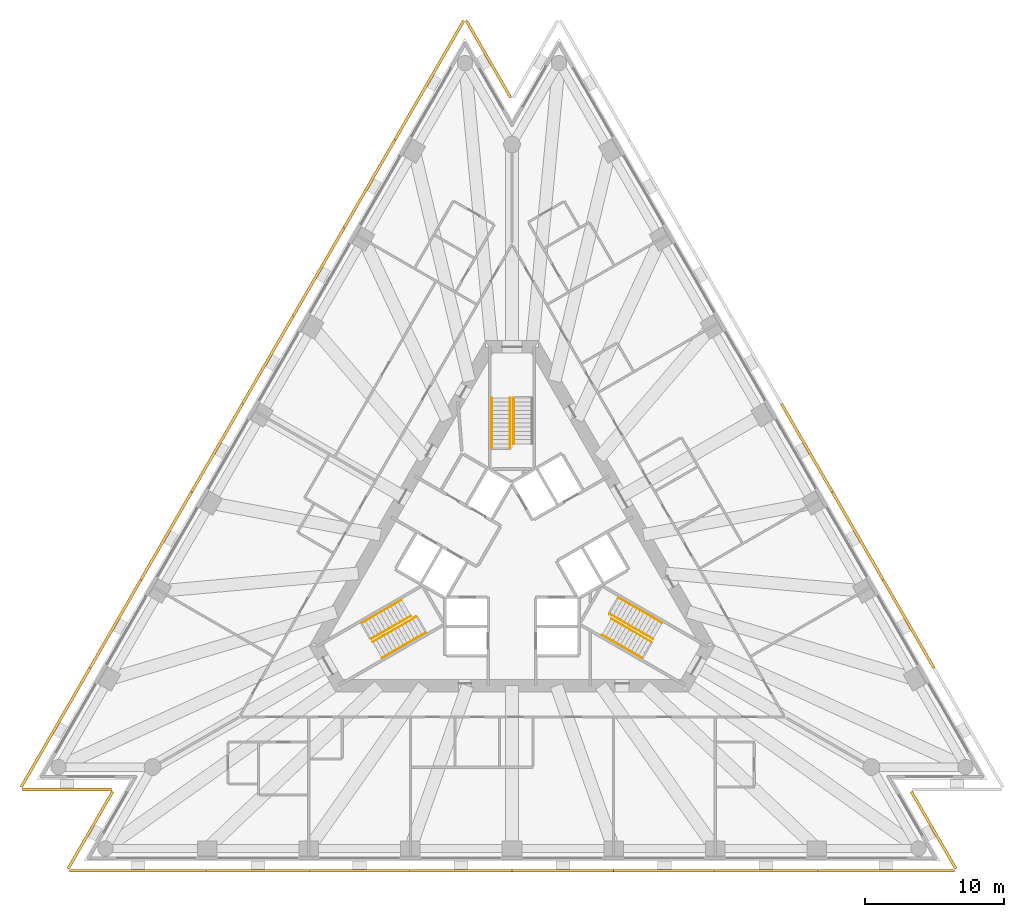
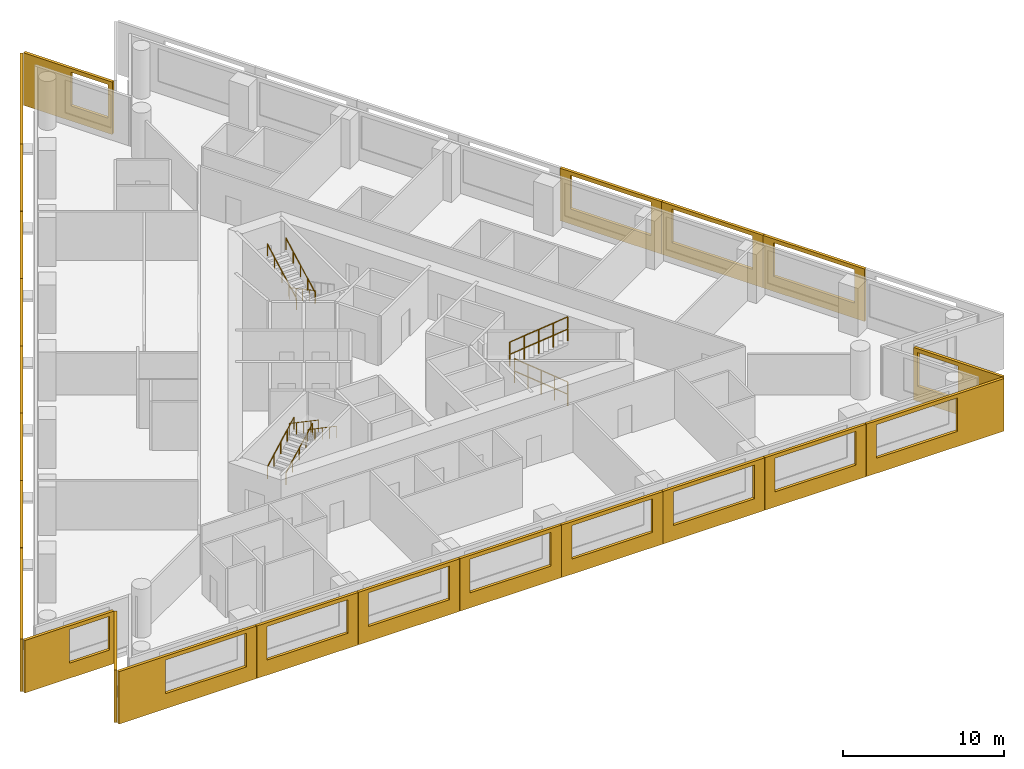
# One storey, part 10 of 11: 23 shading devices, 11 railings, 3 elements without a shape of their own.
"""IFC4 building model written with IfcOpenShell, lengths in metres."""

import ifcopenshell
import ifcopenshell.guid

model = None  # the IFC model being written
_history = None  # IfcOwnerHistory: only IFC2X3 demands one
_inside = {}  # id of a spatial element -> (the spatial element, [elements in it])
_under = {}  # id of a project, library or spatial element -> (it, [spatial elements below it])
_declared = {}  # id of a project -> (the project, [libraries it declares])
_typed = {}  # id of a type object -> (the type object, [elements of that type])
_made_of = {}  # id of a material, layer set ... -> (it, [elements and type objects made of it])


def new_model(schema):
    """Start an empty IFC model of exactly this schema.

    Asked for "IFC4X3", IfcOpenShell would pick the latest addendum, in which some entities
    have other attributes; the version numbers below select the first issue.
    IFC2X3 requires an IfcOwnerHistory on every rooted entity: one is made here for all.
    """
    global model, _history
    if schema == "IFC4X3":
        model = ifcopenshell.file(schema_version=(4, 3, 0, 0))
    else:
        model = ifcopenshell.file(schema=schema)
    _inside.clear()
    _under.clear()
    _declared.clear()
    _typed.clear()
    _made_of.clear()
    _history = None
    if model.schema == "IFC2X3":
        org = make("IfcOrganization", Name="unknown")
        user = make(
            "IfcPersonAndOrganization",
            ThePerson=make("IfcPerson", FamilyName="unknown"),
            TheOrganization=org,
        )
        app = make(
            "IfcApplication",
            ApplicationDeveloper=org,
            Version="unknown",
            ApplicationFullName="unknown",
            ApplicationIdentifier="unknown",
        )
        _history = make(
            "IfcOwnerHistory",
            OwningUser=user,
            OwningApplication=app,
            ChangeAction="ADDED",
            CreationDate=0,
        )
    return model


def make(cls, **values):
    """One entity of the class cls with the attributes given. An attribute that is None is left unset."""
    return model.create_entity(
        cls, **{name: value for name, value in values.items() if value is not None}
    )


def rooted(cls, **values):
    """An entity with a GlobalId (a new one), such as an element, a storey or a relation."""
    return make(cls, GlobalId=ifcopenshell.guid.new(), OwnerHistory=_history, **values)


def si_unit(unit_type, name, prefix=None):
    """IfcSIUnit, for example si_unit("LENGTHUNIT", "METRE", prefix="MILLI")."""
    return make("IfcSIUnit", UnitType=unit_type, Prefix=prefix, Name=name)


def assignment(units):
    """IfcUnitAssignment: the units of a project."""
    return None if units is None else make("IfcUnitAssignment", Units=units)


def point(xyz):
    """IfcCartesianPoint."""
    return None if xyz is None else make("IfcCartesianPoint", Coordinates=xyz)


def direction(xyz):
    """IfcDirection."""
    return None if xyz is None else make("IfcDirection", DirectionRatios=xyz)


def frame(location, z_axis=None, x_axis=None):
    """IfcAxis2Placement3D, a coordinate frame: its origin and axes. An axis left out is left unset."""
    return make(
        "IfcAxis2Placement3D",
        Location=point(location),
        Axis=direction(z_axis),
        RefDirection=direction(x_axis),
    )


def frame_2d(location, x_axis=None):
    """IfcAxis2Placement2D, a coordinate frame in the plane: its origin and x axis."""
    return make(
        "IfcAxis2Placement2D", Location=point(location), RefDirection=direction(x_axis)
    )


def origin():
    """The frame at (0, 0, 0) with its axes left unset."""
    return frame((0.0, 0.0, 0.0))


def origin_2d():
    """The frame at (0, 0) in the plane with its x axis left unset."""
    return frame_2d((0.0, 0.0))


def place(relative_to, where):
    """IfcLocalPlacement: puts the frame where relative to a parent placement (None: the world)."""
    return make(
        "IfcLocalPlacement", PlacementRelTo=relative_to, RelativePlacement=where
    )


def context(
    kind, dimensions, precision=None, world=None, true_north=None, identifier=None
):
    """IfcGeometricRepresentationContext, for example the 3D "Model" context."""
    return make(
        "IfcGeometricRepresentationContext",
        ContextIdentifier=identifier,
        ContextType=kind,
        CoordinateSpaceDimension=dimensions,
        Precision=precision,
        WorldCoordinateSystem=world,
        TrueNorth=true_north,
    )


def subcontext(parent, identifier, kind, view, scale=None):
    """IfcGeometricRepresentationSubContext, for example "Body" below "Model"."""
    return make(
        "IfcGeometricRepresentationSubContext",
        ContextIdentifier=identifier,
        ContextType=kind,
        ParentContext=parent,
        TargetScale=scale,
        TargetView=view,
    )


def project(units=None, contexts=None):
    """IfcProject with its units and contexts."""
    return rooted(
        "IfcProject",
        Name="project",
        RepresentationContexts=contexts,
        UnitsInContext=assignment(units),
    )


def spatial(cls, under=None, at=None, **own):
    """A site, building, storey or space (cls), placed at a placement, below another one or the project."""
    s = rooted(cls, ObjectPlacement=at, **own)
    if under is not None:
        _under.setdefault(under.id(), (under, []))[1].append(s)
    return s


def polyline(points):
    """IfcPolyline through the points."""
    return make("IfcPolyline", Points=[point(p) for p in points])


def profile(cls, at=None, kind="AREA", **sizes):
    """A parametric profile (cls). Its sizes go by their IFC names, for example OverallWidth=200.0."""
    return make(cls, ProfileType=kind, Position=at, **sizes)


def circle(**sizes):
    """IfcCircleProfileDef."""
    return profile("IfcCircleProfileDef", **sizes)


def outline(outer, holes=None, kind="AREA"):
    """IfcArbitraryClosedProfileDef: a profile drawn as a closed curve; with holes, ...WithVoids."""
    if holes is None:
        return make("IfcArbitraryClosedProfileDef", ProfileType=kind, OuterCurve=outer)
    return make(
        "IfcArbitraryProfileDefWithVoids",
        ProfileType=kind,
        OuterCurve=outer,
        InnerCurves=holes,
    )


def extrude(swept, where, along, depth):
    """IfcExtrudedAreaSolid: the profile swept, set in the frame where, extruded along a direction by depth."""
    return make(
        "IfcExtrudedAreaSolid",
        SweptArea=swept,
        Position=where,
        ExtrudedDirection=direction(along),
        Depth=depth,
    )


def shape(context_of_items, identifier, shape_type, items):
    """IfcShapeRepresentation: the items that make up one representation, for example the "Body"."""
    return make(
        "IfcShapeRepresentation",
        ContextOfItems=context_of_items,
        RepresentationIdentifier=identifier,
        RepresentationType=shape_type,
        Items=items,
    )


def material(Name=None, Category=None):
    """IfcMaterial."""
    return make("IfcMaterial", Name=Name, Category=Category)


def layer(
    of_material, thickness, ventilated=None, Name=None, Category=None, Priority=None
):
    """IfcMaterialLayer: one layer of a wall or slab, of a material (None: an air gap)."""
    return make(
        "IfcMaterialLayer",
        Material=of_material,
        LayerThickness=thickness,
        IsVentilated=ventilated,
        Name=Name,
        Category=Category,
        Priority=Priority,
    )


def layer_set(layers, Name=None):
    """IfcMaterialLayerSet."""
    return make("IfcMaterialLayerSet", MaterialLayers=layers, LayerSetName=Name)


def made_of(thing, what):
    """Note that an element or type object is made of a material, layer set ...; save() writes the relation."""
    if what is not None:
        _made_of.setdefault(what.id(), (what, []))[1].append(thing)
    return thing


def type_object(cls, material=None, **own):
    """A type object (cls), such as IfcWallType, which elements share."""
    return made_of(rooted(cls, **own), material)


def element(
    cls,
    number,
    at=None,
    inside=None,
    cuts=None,
    type_object=None,
    material=None,
    context=None,
    identifier="Body",
    shape_type=None,
    held_by="IfcProductDefinitionShape",
    body=None,
    shapes=None,
    **own,
):
    """One element of the class cls, such as IfcWall. Its Tag is "e" and its number.

    at: its placement. inside: the storey or other place that contains it. cuts: it is an
    opening in that element (IfcRelVoidsElement). A single representation is given by context,
    identifier, shape_type and body (its items); several are given by shapes. held_by: the class
    of the entity that holds the representations. save() writes the other relations.
    """
    e = rooted(cls, Tag="e%d" % number, ObjectPlacement=at, **own)
    if body is not None:
        shapes = [shape(context, identifier, shape_type, body)]
    if shapes is not None:
        e.Representation = make(held_by, Representations=shapes)
    if inside is not None:
        _inside.setdefault(inside.id(), (inside, []))[1].append(e)
    if cuts is not None:
        rooted(
            "IfcRelVoidsElement", RelatingBuildingElement=cuts, RelatedOpeningElement=e
        )
    if type_object is not None:
        _typed.setdefault(type_object.id(), (type_object, []))[1].append(e)
    return made_of(e, material)


def aggregate(whole, parts):
    """IfcRelAggregates: a whole, such as a stair, and the parts it consists of."""
    return rooted("IfcRelAggregates", RelatingObject=whole, RelatedObjects=parts)


def save(model, path):
    """Write the relations noted so far, then the file.

    IfcRelAggregates (storeys below a building ...), IfcRelContainedInSpatialStructure (elements
    in a storey), IfcRelDefinesByType, IfcRelAssociatesMaterial and IfcRelDeclares: one each for
    every whole, place, type object, material and project.
    """
    for whole, parts in _under.values():
        aggregate(whole, parts)
    for where, things in _inside.values():
        rooted(
            "IfcRelContainedInSpatialStructure",
            RelatedElements=things,
            RelatingStructure=where,
        )
    for kind, things in _typed.values():
        rooted("IfcRelDefinesByType", RelatedObjects=things, RelatingType=kind)
    for what, things in _made_of.values():
        rooted("IfcRelAssociatesMaterial", RelatedObjects=things, RelatingMaterial=what)
    for by, libraries in _declared.values():
        rooted("IfcRelDeclares", RelatingContext=by, RelatedDefinitions=libraries)
    model.write(path)


model = new_model("IFC4")

# Units and contexts
model_context = context("Model", 3, precision=1e-05, world=origin(), true_north=direction((0.0, 1.0)))
body_context = subcontext(model_context, "Body", "Model", "MODEL_VIEW")
ifc_project = project(units=[si_unit("LENGTHUNIT", "METRE"), si_unit("AREAUNIT", "SQUARE_METRE"), si_unit("VOLUMEUNIT", "CUBIC_METRE"), si_unit("PLANEANGLEUNIT", "RADIAN"), si_unit("MASSUNIT", "GRAM", prefix="KILO")], contexts=[model_context])

# Site, building, storey
site_placement = place(None, origin())
site = spatial("IfcSite", under=ifc_project, at=site_placement, CompositionType="ELEMENT")
building_placement = place(site_placement, origin())
building = spatial("IfcBuilding", under=site, at=building_placement, Name="Triada Interchange Tower", CompositionType="ELEMENT")
storey_placement = place(building_placement, frame((0.0, 0.0, 75.300048828125)))
storey = spatial("IfcBuildingStorey", under=building, at=storey_placement, Name="L16", CompositionType="ELEMENT", Elevation=75.300048828125)

# Shading devices
ifc_material_1 = material(Name="Concrete C50/60 precast", Category="concrete")
ifc_layer_1 = layer(ifc_material_1, 0.02001953125, Name="Exposed aggregate face")
ifc_layer_2 = layer(ifc_material_1, 0.179931640625, Name="Precast concrete screen")
ifc_layer_set = layer_set([ifc_layer_1, ifc_layer_2], Name="Outer skin screen panel 3980")
shading_device_type = type_object("IfcShadingDeviceType", Name="Outer skin screen panel 3980", PredefinedType="SHUTTER", material=ifc_layer_set)
shading_device_1_placement = place(storey_placement, frame((-3.3759765625, 38.596923828125, -0.2900390625), z_axis=(0.0, 0.0, 1.0), x_axis=(-0.500019487037, -0.866014152646, 0.0)))
element("IfcShadingDevice", 1, at=shading_device_1_placement, inside=storey, type_object=shading_device_type, Name="Outer skin screen panel L16 01", PredefinedType="SHUTTER", context=body_context, shape_type="SweptSolid", body=[
    extrude(outline(polyline([(0.0, 0.0), (9.86572265625, 0.0), (9.86572265625, 3.97998046875), (0.0, 3.97998046875), (0.0, 0.0)]), holes=[polyline([(3.33154296875, 1.139892578125), (3.33154296875, 3.68994140625), (9.131591796875, 3.68994140625), (9.131591796875, 1.139892578125), (3.33154296875, 1.139892578125)])]), frame((0.0, 0.0, 0.0), z_axis=(0.0, -1.0, 0.0), x_axis=(1.0, 0.0, 0.0)), (0.0, 0.0, 1.0), 0.199951171875),
])
shading_device_2_placement = place(storey_placement, frame((-8.319091796875, 30.035888671875, -0.2900390625), z_axis=(0.0, 0.0, 1.0), x_axis=(-0.499997733992, -0.866026712061, 0.0)))
element("IfcShadingDevice", 2, at=shading_device_2_placement, inside=storey, type_object=shading_device_type, Name="Outer skin screen panel L16 02", PredefinedType="SHUTTER", context=body_context, shape_type="SweptSolid", body=[
    extrude(outline(polyline([(0.0, 0.0), (7.267578125, 0.0), (7.267578125, 3.97998046875), (0.0, 3.97998046875), (0.0, 0.0)]), holes=[polyline([(0.73388671875, 1.139892578125), (0.73388671875, 3.68994140625), (6.533935546875, 3.68994140625), (6.533935546875, 1.139892578125), (0.73388671875, 1.139892578125)])]), frame((0.0, 0.0, 0.0), z_axis=(0.0, -1.0, 0.0), x_axis=(1.0, 0.0, 0.0)), (0.0, 0.0, 1.0), 0.199951171875),
])
shading_device_3_placement = place(storey_placement, frame((-11.962890625, 23.72509765625, -0.2900390625), z_axis=(0.0, 0.0, 1.0), x_axis=(-0.499907598821, -0.866078745058, 0.0)))
element("IfcShadingDevice", 3, at=shading_device_3_placement, inside=storey, type_object=shading_device_type, Name="Outer skin screen panel L16 03", PredefinedType="SHUTTER", context=body_context, shape_type="SweptSolid", body=[
    extrude(outline(polyline([(0.0, 0.0), (7.267578125, 0.0), (7.267578125, 3.97998046875), (0.0, 3.97998046875), (0.0, 0.0)]), holes=[polyline([(0.7333984375, 1.139892578125), (0.7333984375, 3.68994140625), (6.533447265625, 3.68994140625), (6.533447265625, 1.139892578125), (0.7333984375, 1.139892578125)])]), frame((0.0, 0.0, 0.0), z_axis=(0.0, -1.0, 0.0), x_axis=(1.0, 0.0, 0.0)), (0.0, 0.0, 1.0), 0.199951171875),
])
shading_device_4_placement = place(storey_placement, frame((-15.60595703125, 17.4140625, -0.2900390625), z_axis=(0.0, 0.0, 1.0), x_axis=(-0.500022928159, -0.866012165801, 0.0)))
element("IfcShadingDevice", 4, at=shading_device_4_placement, inside=storey, type_object=shading_device_type, Name="Outer skin screen panel L16 04", PredefinedType="SHUTTER", context=body_context, shape_type="SweptSolid", body=[
    extrude(outline(polyline([(0.0, 0.0), (7.267822265625, 0.0), (7.267822265625, 3.97998046875), (0.0, 3.97998046875), (0.0, 0.0)]), holes=[polyline([(0.73388671875, 1.139892578125), (0.73388671875, 3.68994140625), (6.53369140625, 3.68994140625), (6.53369140625, 1.139892578125), (0.73388671875, 1.139892578125)])]), frame((0.0, 0.0, 0.0), z_axis=(0.0, -1.0, 0.0), x_axis=(1.0, 0.0, 0.0)), (0.0, 0.0, 1.0), 0.199951171875),
])
shading_device_5_placement = place(storey_placement, frame((-19.25, 11.10205078125, -0.2900390625), z_axis=(0.0, 0.0, 1.0), x_axis=(-0.500022928159, -0.866012165801, 0.0)))
element("IfcShadingDevice", 5, at=shading_device_5_placement, inside=storey, type_object=shading_device_type, Name="Outer skin screen panel L16 05", PredefinedType="SHUTTER", context=body_context, shape_type="SweptSolid", body=[
    extrude(outline(polyline([(0.0, 0.0), (7.267822265625, 0.0), (7.267822265625, 3.97998046875), (0.0, 3.97998046875), (0.0, 0.0)]), holes=[polyline([(0.734130859375, 1.139892578125), (0.734130859375, 3.68994140625), (6.5341796875, 3.68994140625), (6.5341796875, 1.139892578125), (0.734130859375, 1.139892578125)])]), frame((0.0, 0.0, 0.0), z_axis=(0.0, -1.0, 0.0), x_axis=(1.0, 0.0, 0.0)), (0.0, 0.0, 1.0), 0.199951171875),
])
shading_device_6_placement = place(storey_placement, frame((-22.89404296875, 4.791015625, -0.2900390625), z_axis=(0.0, 0.0, 1.0), x_axis=(-0.500022928159, -0.866012165801, 0.0)))
element("IfcShadingDevice", 6, at=shading_device_6_placement, inside=storey, type_object=shading_device_type, Name="Outer skin screen panel L16 06", PredefinedType="SHUTTER", context=body_context, shape_type="SweptSolid", body=[
    extrude(outline(polyline([(0.0, 0.0), (7.267822265625, 0.0), (7.267822265625, 3.97998046875), (0.0, 3.97998046875), (0.0, 0.0)]), holes=[polyline([(0.733642578125, 1.139892578125), (0.733642578125, 3.68994140625), (6.53369140625, 3.68994140625), (6.53369140625, 1.139892578125), (0.733642578125, 1.139892578125)])]), frame((0.0, 0.0, 0.0), z_axis=(0.0, -1.0, 0.0), x_axis=(1.0, 0.0, 0.0)), (0.0, 0.0, 1.0), 0.199951171875),
])
shading_device_7_placement = place(storey_placement, frame((-26.5380859375, -1.52001953125, -0.2900390625), z_axis=(0.0, 0.0, 1.0), x_axis=(-0.499896944627, -0.866084894657, 0.0)))
element("IfcShadingDevice", 7, at=shading_device_7_placement, inside=storey, type_object=shading_device_type, Name="Outer skin screen panel L16 07", PredefinedType="SHUTTER", context=body_context, shape_type="SweptSolid", body=[
    extrude(outline(polyline([(0.0, 0.0), (7.26708984375, 0.0), (7.26708984375, 3.97998046875), (0.0, 3.97998046875), (0.0, 0.0)]), holes=[polyline([(0.73388671875, 1.139892578125), (0.73388671875, 3.68994140625), (6.533935546875, 3.68994140625), (6.533935546875, 1.139892578125), (0.73388671875, 1.139892578125)])]), frame((0.0, 0.0, 0.0), z_axis=(0.0, -1.0, 0.0), x_axis=(1.0, 0.0, 0.0)), (0.0, 0.0, 1.0), 0.199951171875),
])
shading_device_8_placement = place(storey_placement, frame((-30.180908203125, -7.8310546875, -0.2900390625), z_axis=(0.0, 0.0, 1.0), x_axis=(-0.500019487037, -0.866014152646, 0.0)))
element("IfcShadingDevice", 8, at=shading_device_8_placement, inside=storey, type_object=shading_device_type, Name="Outer skin screen panel L16 08", PredefinedType="SHUTTER", context=body_context, shape_type="SweptSolid", body=[
    extrude(outline(polyline([(0.0, 0.0), (9.86572265625, 0.0), (9.86572265625, 3.97998046875), (0.0, 3.97998046875), (0.0, 0.0)]), holes=[polyline([(0.7333984375, 1.139892578125), (0.7333984375, 3.68994140625), (6.533447265625, 3.68994140625), (6.533447265625, 1.139892578125), (0.7333984375, 1.139892578125)])]), frame((0.0, 0.0, 0.0), z_axis=(0.0, -1.0, 0.0), x_axis=(1.0, 0.0, 0.0)), (0.0, 0.0, 1.0), 0.199951171875),
])
shading_device_9_placement = place(storey_placement, frame((-35.10888671875, -16.384033203125, -0.2900390625), z_axis=(0.0, 0.0, 1.0), x_axis=(1.0, 0.0, 0.0)))
element("IfcShadingDevice", 9, at=shading_device_9_placement, inside=storey, type_object=shading_device_type, Name="Outer skin screen panel L16 09", PredefinedType="SHUTTER", context=body_context, shape_type="SweptSolid", body=[
    extrude(outline(polyline([(0.0, 0.0), (6.373779296875, 0.0), (6.373779296875, 3.97998046875), (0.0, 3.97998046875), (0.0, 0.0)]), holes=[polyline([(3.175048828125, 1.139892578125), (3.175048828125, 3.68994140625), (6.073974609375, 3.68994140625), (6.073974609375, 1.139892578125), (3.175048828125, 1.139892578125)])]), frame((0.0, 0.0, 0.0), z_axis=(0.0, -1.0, 0.0), x_axis=(1.0, 0.0, 0.0)), (0.0, 0.0, 1.0), 0.199951171875),
])
shading_device_10_placement = place(storey_placement, frame((-28.555908203125, -16.693115234375, -0.2900390625), z_axis=(0.0, 0.0, 1.0), x_axis=(-0.500019757925, -0.866013996241, 0.0)))
element("IfcShadingDevice", 10, at=shading_device_10_placement, inside=storey, type_object=shading_device_type, Name="Outer skin screen panel L16 10", PredefinedType="SHUTTER", context=body_context, shape_type="SweptSolid", body=[
    extrude(outline(polyline([(0.0, 0.0), (6.373779296875, 0.0), (6.373779296875, 3.97998046875), (0.0, 3.97998046875), (0.0, 0.0)]), holes=[polyline([(0.300048828125, 1.139892578125), (0.300048828125, 3.68994140625), (2.9580078125, 3.68994140625), (2.9580078125, 1.139892578125), (0.300048828125, 1.139892578125)])]), frame((0.0, 0.0, 0.0), z_axis=(0.0, -1.0, 0.0), x_axis=(1.0, 0.0, 0.0)), (0.0, 0.0, 1.0), 0.199951171875),
])
shading_device_11_placement = place(storey_placement, frame((-31.738037109375, -22.221923828125, -0.2900390625), z_axis=(0.0, 0.0, 1.0), x_axis=(1.0, 0.0, 0.0)))
element("IfcShadingDevice", 11, at=shading_device_11_placement, inside=storey, type_object=shading_device_type, Name="Outer skin screen panel L16 11", PredefinedType="SHUTTER", context=body_context, shape_type="SweptSolid", body=[
    extrude(outline(polyline([(0.0, 0.0), (9.865966796875, 0.0), (9.865966796875, 3.97998046875), (0.0, 3.97998046875), (0.0, 0.0)]), holes=[polyline([(3.33203125, 1.139892578125), (3.33203125, 3.68994140625), (9.132080078125, 3.68994140625), (9.132080078125, 1.139892578125), (3.33203125, 1.139892578125)])]), frame((0.0, 0.0, 0.0), z_axis=(0.0, -1.0, 0.0), x_axis=(1.0, 0.0, 0.0)), (0.0, 0.0, 1.0), 0.199951171875),
])
shading_device_12_placement = place(storey_placement, frame((-21.85205078125, -22.221923828125, -0.2900390625), z_axis=(0.0, 0.0, 1.0), x_axis=(1.0, 0.0, 0.0)))
element("IfcShadingDevice", 12, at=shading_device_12_placement, inside=storey, type_object=shading_device_type, Name="Outer skin screen panel L16 12", PredefinedType="SHUTTER", context=body_context, shape_type="SweptSolid", body=[
    extrude(outline(polyline([(0.0, 0.0), (7.26708984375, 0.0), (7.26708984375, 3.97998046875), (0.0, 3.97998046875), (0.0, 0.0)]), holes=[polyline([(0.7333984375, 1.139892578125), (0.7333984375, 3.68994140625), (6.533447265625, 3.68994140625), (6.533447265625, 1.139892578125), (0.7333984375, 1.139892578125)])]), frame((0.0, 0.0, 0.0), z_axis=(0.0, -1.0, 0.0), x_axis=(1.0, 0.0, 0.0)), (0.0, 0.0, 1.0), 0.199951171875),
])
shading_device_13_placement = place(storey_placement, frame((-14.56494140625, -22.221923828125, -0.2900390625), z_axis=(0.0, 0.0, 1.0), x_axis=(1.0, 0.0, 0.0)))
element("IfcShadingDevice", 13, at=shading_device_13_placement, inside=storey, type_object=shading_device_type, Name="Outer skin screen panel L16 13", PredefinedType="SHUTTER", context=body_context, shape_type="SweptSolid", body=[
    extrude(outline(polyline([(0.0, 0.0), (7.266845703125, 0.0), (7.266845703125, 3.97998046875), (0.0, 3.97998046875), (0.0, 0.0)]), holes=[polyline([(0.73388671875, 1.139892578125), (0.73388671875, 3.68994140625), (6.533935546875, 3.68994140625), (6.533935546875, 1.139892578125), (0.73388671875, 1.139892578125)])]), frame((0.0, 0.0, 0.0), z_axis=(0.0, -1.0, 0.0), x_axis=(1.0, 0.0, 0.0)), (0.0, 0.0, 1.0), 0.199951171875),
])
shading_device_14_placement = place(storey_placement, frame((-7.278076171875, -22.221923828125, -0.2900390625), z_axis=(0.0, 0.0, 1.0), x_axis=(1.0, 0.0, 0.0)))
element("IfcShadingDevice", 14, at=shading_device_14_placement, inside=storey, type_object=shading_device_type, Name="Outer skin screen panel L16 14", PredefinedType="SHUTTER", context=body_context, shape_type="SweptSolid", body=[
    extrude(outline(polyline([(0.0, 0.0), (7.26806640625, 0.0), (7.26806640625, 3.97998046875), (0.0, 3.97998046875), (0.0, 0.0)]), holes=[polyline([(0.7333984375, 1.139892578125), (0.7333984375, 3.68994140625), (6.533447265625, 3.68994140625), (6.533447265625, 1.139892578125), (0.7333984375, 1.139892578125)])]), frame((0.0, 0.0, 0.0), z_axis=(0.0, -1.0, 0.0), x_axis=(1.0, 0.0, 0.0)), (0.0, 0.0, 1.0), 0.199951171875),
])
shading_device_15_placement = place(storey_placement, frame((0.010009765625, -22.221923828125, -0.2900390625), z_axis=(0.0, 0.0, 1.0), x_axis=(1.0, 0.0, 0.0)))
element("IfcShadingDevice", 15, at=shading_device_15_placement, inside=storey, type_object=shading_device_type, Name="Outer skin screen panel L16 15", PredefinedType="SHUTTER", context=body_context, shape_type="SweptSolid", body=[
    extrude(outline(polyline([(0.0, 0.0), (7.26806640625, 0.0), (7.26806640625, 3.97998046875), (0.0, 3.97998046875), (0.0, 0.0)]), holes=[polyline([(0.73388671875, 1.139892578125), (0.73388671875, 3.68994140625), (6.533935546875, 3.68994140625), (6.533935546875, 1.139892578125), (0.73388671875, 1.139892578125)])]), frame((0.0, 0.0, 0.0), z_axis=(0.0, -1.0, 0.0), x_axis=(1.0, 0.0, 0.0)), (0.0, 0.0, 1.0), 0.199951171875),
])
shading_device_16_placement = place(storey_placement, frame((7.297119140625, -22.221923828125, -0.2900390625), z_axis=(0.0, 0.0, 1.0), x_axis=(1.0, 0.0, 0.0)))
element("IfcShadingDevice", 16, at=shading_device_16_placement, inside=storey, type_object=shading_device_type, Name="Outer skin screen panel L16 16", PredefinedType="SHUTTER", context=body_context, shape_type="SweptSolid", body=[
    extrude(outline(polyline([(0.0, 0.0), (7.267822265625, 0.0), (7.267822265625, 3.97998046875), (0.0, 3.97998046875), (0.0, 0.0)]), holes=[polyline([(0.7333984375, 1.139892578125), (0.7333984375, 3.68994140625), (6.533447265625, 3.68994140625), (6.533447265625, 1.139892578125), (0.7333984375, 1.139892578125)])]), frame((0.0, 0.0, 0.0), z_axis=(0.0, -1.0, 0.0), x_axis=(1.0, 0.0, 0.0)), (0.0, 0.0, 1.0), 0.199951171875),
])
shading_device_17_placement = place(storey_placement, frame((14.5849609375, -22.221923828125, -0.2900390625), z_axis=(0.0, 0.0, 1.0), x_axis=(1.0, 0.0, 0.0)))
element("IfcShadingDevice", 17, at=shading_device_17_placement, inside=storey, type_object=shading_device_type, Name="Outer skin screen panel L16 17", PredefinedType="SHUTTER", context=body_context, shape_type="SweptSolid", body=[
    extrude(outline(polyline([(0.0, 0.0), (7.26806640625, 0.0), (7.26806640625, 3.97998046875), (0.0, 3.97998046875), (0.0, 0.0)]), holes=[polyline([(0.73388671875, 1.139892578125), (0.73388671875, 3.68994140625), (6.533935546875, 3.68994140625), (6.533935546875, 1.139892578125), (0.73388671875, 1.139892578125)])]), frame((0.0, 0.0, 0.0), z_axis=(0.0, -1.0, 0.0), x_axis=(1.0, 0.0, 0.0)), (0.0, 0.0, 1.0), 0.199951171875),
])
shading_device_18_placement = place(storey_placement, frame((21.8720703125, -22.221923828125, -0.2900390625), z_axis=(0.0, 0.0, 1.0), x_axis=(1.0, 0.0, 0.0)))
element("IfcShadingDevice", 18, at=shading_device_18_placement, inside=storey, type_object=shading_device_type, Name="Outer skin screen panel L16 18", PredefinedType="SHUTTER", context=body_context, shape_type="SweptSolid", body=[
    extrude(outline(polyline([(0.0, 0.0), (9.865966796875, 0.0), (9.865966796875, 3.97998046875), (0.0, 3.97998046875), (0.0, 0.0)]), holes=[polyline([(0.7333984375, 1.139892578125), (0.7333984375, 3.68994140625), (6.533447265625, 3.68994140625), (6.533447265625, 1.139892578125), (0.7333984375, 1.139892578125)])]), frame((0.0, 0.0, 0.0), z_axis=(0.0, -1.0, 0.0), x_axis=(1.0, 0.0, 0.0)), (0.0, 0.0, 1.0), 0.199951171875),
])
shading_device_19_placement = place(storey_placement, frame((31.742919921875, -22.212890625, -0.2900390625), z_axis=(0.0, 0.0, 1.0), x_axis=(-0.500019757925, 0.866013996241, 0.0)))
element("IfcShadingDevice", 19, at=shading_device_19_placement, inside=storey, type_object=shading_device_type, Name="Outer skin screen panel L16 19", PredefinedType="SHUTTER", context=body_context, shape_type="SweptSolid", body=[
    extrude(outline(polyline([(0.0, 0.0), (6.373779296875, 0.0), (6.373779296875, 3.97998046875), (0.0, 3.97998046875), (0.0, 0.0)]), holes=[polyline([(3.17529296875, 1.139892578125), (3.17529296875, 3.68994140625), (6.07421875, 3.68994140625), (6.07421875, 1.139892578125), (3.17529296875, 1.139892578125)])]), frame((0.0, 0.0, 0.0), z_axis=(0.0, -1.0, 0.0), x_axis=(1.0, 0.0, 0.0)), (0.0, 0.0, 1.0), 0.199951171875),
])
shading_device_20_placement = place(storey_placement, frame((30.1708984375, -7.81396484375, -0.2900390625), z_axis=(0.0, 0.0, 1.0), x_axis=(-0.499896944627, 0.866084894657, 0.0)))
element("IfcShadingDevice", 20, at=shading_device_20_placement, inside=storey, type_object=shading_device_type, Name="Outer skin screen panel L16 22", PredefinedType="SHUTTER", context=body_context, shape_type="SweptSolid", body=[
    extrude(outline(polyline([(0.0, 0.0), (7.26708984375, 0.0), (7.26708984375, 3.97998046875), (0.0, 3.97998046875), (0.0, 0.0)]), holes=[polyline([(0.733642578125, 1.139892578125), (0.733642578125, 3.68994140625), (6.53369140625, 3.68994140625), (6.53369140625, 1.139892578125), (0.733642578125, 1.139892578125)])]), frame((0.0, 0.0, 0.0), z_axis=(0.0, -1.0, 0.0), x_axis=(1.0, 0.0, 0.0)), (0.0, 0.0, 1.0), 0.199951171875),
])
shading_device_21_placement = place(storey_placement, frame((26.528076171875, -1.5029296875, -0.2900390625), z_axis=(0.0, 0.0, 1.0), x_axis=(-0.500022928159, 0.866012165801, 0.0)))
element("IfcShadingDevice", 21, at=shading_device_21_placement, inside=storey, type_object=shading_device_type, Name="Outer skin screen panel L16 23", PredefinedType="SHUTTER", context=body_context, shape_type="SweptSolid", body=[
    extrude(outline(polyline([(0.0, 0.0), (7.267822265625, 0.0), (7.267822265625, 3.97998046875), (0.0, 3.97998046875), (0.0, 0.0)]), holes=[polyline([(0.734130859375, 1.139892578125), (0.734130859375, 3.68994140625), (6.5341796875, 3.68994140625), (6.5341796875, 1.139892578125), (0.734130859375, 1.139892578125)])]), frame((0.0, 0.0, 0.0), z_axis=(0.0, -1.0, 0.0), x_axis=(1.0, 0.0, 0.0)), (0.0, 0.0, 1.0), 0.199951171875),
])
shading_device_22_placement = place(storey_placement, frame((22.884033203125, 4.80810546875, -0.2900390625), z_axis=(0.0, 0.0, 1.0), x_axis=(-0.500022928159, 0.866012165801, 0.0)))
element("IfcShadingDevice", 22, at=shading_device_22_placement, inside=storey, type_object=shading_device_type, Name="Outer skin screen panel L16 24", PredefinedType="SHUTTER", context=body_context, shape_type="SweptSolid", body=[
    extrude(outline(polyline([(0.0, 0.0), (7.267822265625, 0.0), (7.267822265625, 3.97998046875), (0.0, 3.97998046875), (0.0, 0.0)]), holes=[polyline([(0.7333984375, 1.139892578125), (0.7333984375, 3.68994140625), (6.533447265625, 3.68994140625), (6.533447265625, 1.139892578125), (0.7333984375, 1.139892578125)])]), frame((0.0, 0.0, 0.0), z_axis=(0.0, -1.0, 0.0), x_axis=(1.0, 0.0, 0.0)), (0.0, 0.0, 1.0), 0.199951171875),
])
shading_device_23_placement = place(storey_placement, frame((-0.177978515625, 33.076904296875, -0.2900390625), z_axis=(0.0, 0.0, 1.0), x_axis=(-0.500118066197, 0.865957227502, 0.0)))
element("IfcShadingDevice", 23, at=shading_device_23_placement, inside=storey, type_object=shading_device_type, Name="Outer skin screen panel L16 30", PredefinedType="SHUTTER", context=body_context, shape_type="SweptSolid", body=[
    extrude(outline(polyline([(0.0, 0.0), (6.37451171875, 0.0), (6.37451171875, 3.97998046875), (0.0, 3.97998046875), (0.0, 0.0)]), holes=[polyline([(0.300048828125, 1.139892578125), (0.300048828125, 3.68994140625), (2.9580078125, 3.68994140625), (2.9580078125, 1.139892578125), (0.300048828125, 1.139892578125)])]), frame((0.0, 0.0, 0.0), z_axis=(0.0, -1.0, 0.0), x_axis=(1.0, 0.0, 0.0)), (0.0, 0.0, 1.0), 0.199951171875),
])

# Stair, railings
ifc_material_2 = material(Name="Concrete C35/45", Category="concrete")
stair_type = type_object("IfcStairType", Name="HALF TURN STAIR 1400", PredefinedType="HALF_TURN_STAIR", material=ifc_material_2)
stair_1_placement = place(storey_placement, origin())
stair_1 = element("IfcStair", 24, at=stair_1_placement, inside=storey, type_object=stair_type, Name="Exit stair S15-1", PredefinedType="HALF_TURN_STAIR")
ifc_material_3 = material(Name="Stainless steel 1.4301", Category="steel")
railing_type = type_object("IfcRailingType", Name="STAIR HANDRAIL 900", PredefinedType="HANDRAIL", material=ifc_material_3)
railing_1_placement = place(storey_placement, frame((0.1201171875, 11.60009765625, 0.159912109375)))
railing_1 = element("IfcRailing", 25, at=railing_1_placement, type_object=railing_type, Name="Handrail S15-1 1C", PredefinedType="HANDRAIL", context=body_context, shape_type="SweptSolid", body=[
    extrude(circle(Radius=0.02392578125, at=origin_2d()), frame((0.0, 0.0, 0.8759765625), z_axis=(0.0, -0.882354748157, 0.47058484719), x_axis=(1.0, 0.0, 0.0)), (0.0, 0.0, 1.0), 3.739990234375),
    extrude(circle(Radius=0.02099609375, at=origin_2d()), origin(), (0.0, 0.0, 1.0), 0.851806640625),
    extrude(circle(Radius=0.02099609375, at=origin_2d()), frame((0.0, -0.824951171875, 0.43994140625)), (0.0, 0.0, 1.0), 0.851806640625),
    extrude(circle(Radius=0.02099609375, at=origin_2d()), frame((0.0, -1.64990234375, 0.8798828125)), (0.0, 0.0, 1.0), 0.851806640625),
    extrude(circle(Radius=0.02099609375, at=origin_2d()), frame((0.0, -2.47509765625, 1.320068359375)), (0.0, 0.0, 1.0), 0.851806640625),
    extrude(circle(Radius=0.02099609375, at=origin_2d()), frame((0.0, -3.300048828125, 1.760009765625)), (0.0, 0.0, 1.0), 0.851806640625),
])
railing_2_placement = place(storey_placement, frame((-1.449951171875, 8.0, 2.079833984375)))
railing_2 = element("IfcRailing", 26, at=railing_2_placement, type_object=railing_type, Name="Handrail S15-1 2W", PredefinedType="HANDRAIL", context=body_context, shape_type="SweptSolid", body=[
    extrude(circle(Radius=0.02392578125, at=origin_2d()), frame((0.0, 0.0, 0.8759765625), z_axis=(0.0, 0.882341346394, 0.470609974867), x_axis=(-1.0, 0.0, 0.0)), (0.0, 0.0, 1.0), 4.080078125),
    extrude(circle(Radius=0.02099609375, at=origin_2d()), origin(), (0.0, 0.0, 1.0), 0.851806640625),
    extrude(circle(Radius=0.02099609375, at=origin_2d()), frame((0.0, 0.89990234375, 0.47998046875)), (0.0, 0.0, 1.0), 0.851806640625),
    extrude(circle(Radius=0.02099609375, at=origin_2d()), frame((0.0, 1.800048828125, 0.9599609375)), (0.0, 0.0, 1.0), 0.851806640625),
    extrude(circle(Radius=0.02099609375, at=origin_2d()), frame((0.0, 2.7001953125, 1.440185546875)), (0.0, 0.0, 1.0), 0.851806640625),
    extrude(circle(Radius=0.02099609375, at=origin_2d()), frame((0.0, 3.60009765625, 1.920166015625)), (0.0, 0.0, 1.0), 0.851806640625),
])
railing_3_placement = place(storey_placement, frame((-0.1201171875, 8.0, 2.079833984375)))
railing_3 = element("IfcRailing", 27, at=railing_3_placement, type_object=railing_type, Name="Handrail S15-1 2C", PredefinedType="HANDRAIL", context=body_context, shape_type="SweptSolid", body=[
    extrude(circle(Radius=0.02392578125, at=origin_2d()), frame((0.0, 0.0, 0.8759765625), z_axis=(0.0, 0.882341346394, 0.470609974867), x_axis=(-1.0, 0.0, 0.0)), (0.0, 0.0, 1.0), 4.080078125),
    extrude(circle(Radius=0.02099609375, at=origin_2d()), origin(), (0.0, 0.0, 1.0), 0.851806640625),
    extrude(circle(Radius=0.02099609375, at=origin_2d()), frame((0.0, 0.89990234375, 0.47998046875)), (0.0, 0.0, 1.0), 0.851806640625),
    extrude(circle(Radius=0.02099609375, at=origin_2d()), frame((0.0, 1.800048828125, 0.9599609375)), (0.0, 0.0, 1.0), 0.851806640625),
    extrude(circle(Radius=0.02099609375, at=origin_2d()), frame((0.0, 2.7001953125, 1.440185546875)), (0.0, 0.0, 1.0), 0.851806640625),
    extrude(circle(Radius=0.02099609375, at=origin_2d()), frame((0.0, 3.60009765625, 1.920166015625)), (0.0, 0.0, 1.0), 0.851806640625),
])
aggregate(stair_1, [railing_1, railing_2, railing_3])

stair_2_placement = place(storey_placement, origin())
stair_2 = element("IfcStair", 28, at=stair_2_placement, inside=storey, type_object=stair_type, Name="Exit stair S15-2", PredefinedType="HALF_TURN_STAIR")
railing_4_placement = place(storey_placement, frame((-10.77099609375, -4.5439453125, 0.159912109375)))
railing_4 = element("IfcRailing", 29, at=railing_4_placement, type_object=railing_type, Name="Handrail S15-2 1W", PredefinedType="HANDRAIL", context=body_context, shape_type="SweptSolid", body=[
    extrude(circle(Radius=0.02392578125, at=origin_2d()), frame((0.0, 0.0, 0.8759765625), z_axis=(0.764150854273, 0.441152526326, 0.470593158077), x_axis=(-0.499974350878, 0.866040211805, 0.0)), (0.0, 0.0, 1.0), 3.739990234375),
    extrude(circle(Radius=0.02099609375, at=origin_2d()), origin(), (0.0, 0.0, 1.0), 0.851806640625),
    extrude(circle(Radius=0.02099609375, at=origin_2d()), frame((0.71435546875, 0.41259765625, 0.43994140625)), (0.0, 0.0, 1.0), 0.851806640625),
    extrude(circle(Radius=0.02099609375, at=origin_2d()), frame((1.428955078125, 0.824951171875, 0.8798828125)), (0.0, 0.0, 1.0), 0.851806640625),
    extrude(circle(Radius=0.02099609375, at=origin_2d()), frame((2.1435546875, 1.2373046875, 1.320068359375)), (0.0, 0.0, 1.0), 0.851806640625),
    extrude(circle(Radius=0.02099609375, at=origin_2d()), frame((2.85791015625, 1.64990234375, 1.760009765625)), (0.0, 0.0, 1.0), 0.851806640625),
])
railing_5_placement = place(storey_placement, frame((-10.10595703125, -5.696044921875, 0.159912109375)))
railing_5 = element("IfcRailing", 30, at=railing_5_placement, type_object=railing_type, Name="Handrail S15-2 1C", PredefinedType="HANDRAIL", context=body_context, shape_type="SweptSolid", body=[
    extrude(circle(Radius=0.02392578125, at=origin_2d()), frame((0.0, 0.0, 0.8759765625), z_axis=(0.76412884773, 0.441205098395, 0.470579605611), x_axis=(-0.50002983664, 0.866008176907, 0.0)), (0.0, 0.0, 1.0), 3.739990234375),
    extrude(circle(Radius=0.02099609375, at=origin_2d()), origin(), (0.0, 0.0, 1.0), 0.851806640625),
    extrude(circle(Radius=0.02099609375, at=origin_2d()), frame((0.71435546875, 0.41259765625, 0.43994140625)), (0.0, 0.0, 1.0), 0.851806640625),
    extrude(circle(Radius=0.02099609375, at=origin_2d()), frame((1.428955078125, 0.8251953125, 0.8798828125)), (0.0, 0.0, 1.0), 0.851806640625),
    extrude(circle(Radius=0.02099609375, at=origin_2d()), frame((2.1435546875, 1.237548828125, 1.320068359375)), (0.0, 0.0, 1.0), 0.851806640625),
    extrude(circle(Radius=0.02099609375, at=origin_2d()), frame((2.85791015625, 1.650146484375, 1.760009765625)), (0.0, 0.0, 1.0), 0.851806640625),
])
railing_6_placement = place(storey_placement, frame((-6.202880859375, -5.256103515625, 2.079833984375)))
railing_6 = element("IfcRailing", 31, at=railing_6_placement, type_object=railing_type, Name="Handrail S15-2 2W", PredefinedType="HANDRAIL", context=body_context, shape_type="SweptSolid", body=[
    extrude(circle(Radius=0.02392578125, at=origin_2d()), frame((0.0, 0.0, 0.8759765625), z_axis=(-0.764189758314, -0.441090424232, 0.470588196769), x_axis=(0.499902469156, -0.866081705922, 0.0)), (0.0, 0.0, 1.0), 4.080322265625),
    extrude(circle(Radius=0.02099609375, at=origin_2d()), origin(), (0.0, 0.0, 1.0), 0.851806640625),
    extrude(circle(Radius=0.02099609375, at=origin_2d()), frame((-0.779541015625, -0.449951171875, 0.47998046875)), (0.0, 0.0, 1.0), 0.851806640625),
    extrude(circle(Radius=0.02099609375, at=origin_2d()), frame((-1.55908203125, -0.89990234375, 0.9599609375)), (0.0, 0.0, 1.0), 0.851806640625),
    extrude(circle(Radius=0.02099609375, at=origin_2d()), frame((-2.338623046875, -1.349853515625, 1.440185546875)), (0.0, 0.0, 1.0), 0.851806640625),
    extrude(circle(Radius=0.02099609375, at=origin_2d()), frame((-3.1181640625, -1.7998046875, 1.920166015625)), (0.0, 0.0, 1.0), 0.851806640625),
])
railing_7_placement = place(storey_placement, frame((-6.867919921875, -4.10400390625, 2.079833984375)))
railing_7 = element("IfcRailing", 32, at=railing_7_placement, type_object=railing_type, Name="Handrail S15-2 2C", PredefinedType="HANDRAIL", context=body_context, shape_type="SweptSolid", body=[
    extrude(circle(Radius=0.02392578125, at=origin_2d()), frame((0.0, 0.0, 0.8759765625), z_axis=(-0.764169589359, -0.441138614339, 0.470575776723), x_axis=(0.49995333141, -0.866052346231, 0.0)), (0.0, 0.0, 1.0), 4.08056640625),
    extrude(circle(Radius=0.02099609375, at=origin_2d()), origin(), (0.0, 0.0, 1.0), 0.851806640625),
    extrude(circle(Radius=0.02099609375, at=origin_2d()), frame((-0.779541015625, -0.449951171875, 0.47998046875)), (0.0, 0.0, 1.0), 0.851806640625),
    extrude(circle(Radius=0.02099609375, at=origin_2d()), frame((-1.55908203125, -0.89990234375, 0.9599609375)), (0.0, 0.0, 1.0), 0.851806640625),
    extrude(circle(Radius=0.02099609375, at=origin_2d()), frame((-2.338623046875, -1.35009765625, 1.440185546875)), (0.0, 0.0, 1.0), 0.851806640625),
    extrude(circle(Radius=0.02099609375, at=origin_2d()), frame((-3.1181640625, -1.800048828125, 1.920166015625)), (0.0, 0.0, 1.0), 0.851806640625),
])
aggregate(stair_2, [railing_4, railing_5, railing_6, railing_7])

stair_3_placement = place(storey_placement, origin())
stair_3 = element("IfcStair", 33, at=stair_3_placement, inside=storey, type_object=stair_type, Name="Exit stair S15-3", PredefinedType="HALF_TURN_STAIR")
railing_8_placement = place(storey_placement, frame((9.321044921875, -7.055908203125, 0.159912109375)))
railing_8 = element("IfcRailing", 34, at=railing_8_placement, type_object=railing_type, Name="Handrail S15-3 1W", PredefinedType="HANDRAIL", context=body_context, shape_type="SweptSolid", body=[
    extrude(circle(Radius=0.02392578125, at=origin_2d()), frame((0.0, 0.0, 0.8759765625), z_axis=(-0.764178012919, 0.441130521168, 0.470569684388), x_axis=(-0.499942318283, -0.866058703778, 0.0)), (0.0, 0.0, 1.0), 3.740234375),
    extrude(circle(Radius=0.02099609375, at=origin_2d()), origin(), (0.0, 0.0, 1.0), 0.851806640625),
    extrude(circle(Radius=0.02099609375, at=origin_2d()), frame((-0.714599609375, 0.41259765625, 0.43994140625)), (0.0, 0.0, 1.0), 0.851806640625),
    extrude(circle(Radius=0.02099609375, at=origin_2d()), frame((-1.42919921875, 0.824951171875, 0.8798828125)), (0.0, 0.0, 1.0), 0.851806640625),
    extrude(circle(Radius=0.02099609375, at=origin_2d()), frame((-2.1435546875, 1.2373046875, 1.320068359375)), (0.0, 0.0, 1.0), 0.851806640625),
    extrude(circle(Radius=0.02099609375, at=origin_2d()), frame((-2.858154296875, 1.64990234375, 1.760009765625)), (0.0, 0.0, 1.0), 0.851806640625),
])
railing_9_placement = place(storey_placement, frame((9.986083984375, -5.904052734375, 0.159912109375)))
railing_9 = element("IfcRailing", 35, at=railing_9_placement, type_object=railing_type, Name="Handrail S15-3 1C", PredefinedType="HANDRAIL", context=body_context, shape_type="SweptSolid", body=[
    extrude(circle(Radius=0.02392578125, at=origin_2d()), frame((0.0, 0.0, 0.8759765625), z_axis=(-0.764156007789, 0.441183091881, 0.47055613395), x_axis=(-0.49999780286, -0.8660266723, 0.0)), (0.0, 0.0, 1.0), 3.740234375),
    extrude(circle(Radius=0.02099609375, at=origin_2d()), origin(), (0.0, 0.0, 1.0), 0.851806640625),
    extrude(circle(Radius=0.02099609375, at=origin_2d()), frame((-0.714599609375, 0.41259765625, 0.43994140625)), (0.0, 0.0, 1.0), 0.851806640625),
    extrude(circle(Radius=0.02099609375, at=origin_2d()), frame((-1.42919921875, 0.8251953125, 0.8798828125)), (0.0, 0.0, 1.0), 0.851806640625),
    extrude(circle(Radius=0.02099609375, at=origin_2d()), frame((-2.1435546875, 1.237548828125, 1.320068359375)), (0.0, 0.0, 1.0), 0.851806640625),
    extrude(circle(Radius=0.02099609375, at=origin_2d()), frame((-2.858154296875, 1.650146484375, 1.760009765625)), (0.0, 0.0, 1.0), 0.851806640625),
])
railing_10_placement = place(storey_placement, frame((7.653076171875, -2.743896484375, 2.079833984375)))
railing_10 = element("IfcRailing", 36, at=railing_10_placement, type_object=railing_type, Name="Handrail S15-3 2W", PredefinedType="HANDRAIL", context=body_context, shape_type="SweptSolid", body=[
    extrude(circle(Radius=0.02392578125, at=origin_2d()), frame((0.0, 0.0, 0.8759765625), z_axis=(0.76414469501, -0.441158784458, 0.470597292793), x_axis=(0.499982693035, 0.866035395735, 0.0)), (0.0, 0.0, 1.0), 4.080322265625),
    extrude(circle(Radius=0.02099609375, at=origin_2d()), origin(), (0.0, 0.0, 1.0), 0.851806640625),
    extrude(circle(Radius=0.02099609375, at=origin_2d()), frame((0.779541015625, -0.449951171875, 0.47998046875)), (0.0, 0.0, 1.0), 0.851806640625),
    extrude(circle(Radius=0.02099609375, at=origin_2d()), frame((1.55908203125, -0.89990234375, 0.9599609375)), (0.0, 0.0, 1.0), 0.851806640625),
    extrude(circle(Radius=0.02099609375, at=origin_2d()), frame((2.33837890625, -1.35009765625, 1.440185546875)), (0.0, 0.0, 1.0), 0.851806640625),
    extrude(circle(Radius=0.02099609375, at=origin_2d()), frame((3.117919921875, -1.800048828125, 1.920166015625)), (0.0, 0.0, 1.0), 0.851806640625),
])
railing_11_placement = place(storey_placement, frame((6.988037109375, -3.89599609375, 2.079833984375)))
railing_11 = element("IfcRailing", 37, at=railing_11_placement, type_object=railing_type, Name="Handrail S15-3 2C", PredefinedType="HANDRAIL", context=body_context, shape_type="SweptSolid", body=[
    extrude(circle(Radius=0.02392578125, at=origin_2d()), frame((0.0, 0.0, 0.8759765625), z_axis=(0.76414469501, -0.441158784458, 0.470597292793), x_axis=(0.499982693035, 0.866035395735, 0.0)), (0.0, 0.0, 1.0), 4.080322265625),
    extrude(circle(Radius=0.02099609375, at=origin_2d()), origin(), (0.0, 0.0, 1.0), 0.851806640625),
    extrude(circle(Radius=0.02099609375, at=origin_2d()), frame((0.779541015625, -0.449951171875, 0.47998046875)), (0.0, 0.0, 1.0), 0.851806640625),
    extrude(circle(Radius=0.02099609375, at=origin_2d()), frame((1.55908203125, -0.89990234375, 0.9599609375)), (0.0, 0.0, 1.0), 0.851806640625),
    extrude(circle(Radius=0.02099609375, at=origin_2d()), frame((2.33837890625, -1.35009765625, 1.440185546875)), (0.0, 0.0, 1.0), 0.851806640625),
    extrude(circle(Radius=0.02099609375, at=origin_2d()), frame((3.117919921875, -1.800048828125, 1.920166015625)), (0.0, 0.0, 1.0), 0.851806640625),
])
aggregate(stair_3, [railing_8, railing_9, railing_10, railing_11])

save(model, "model.ifc")
